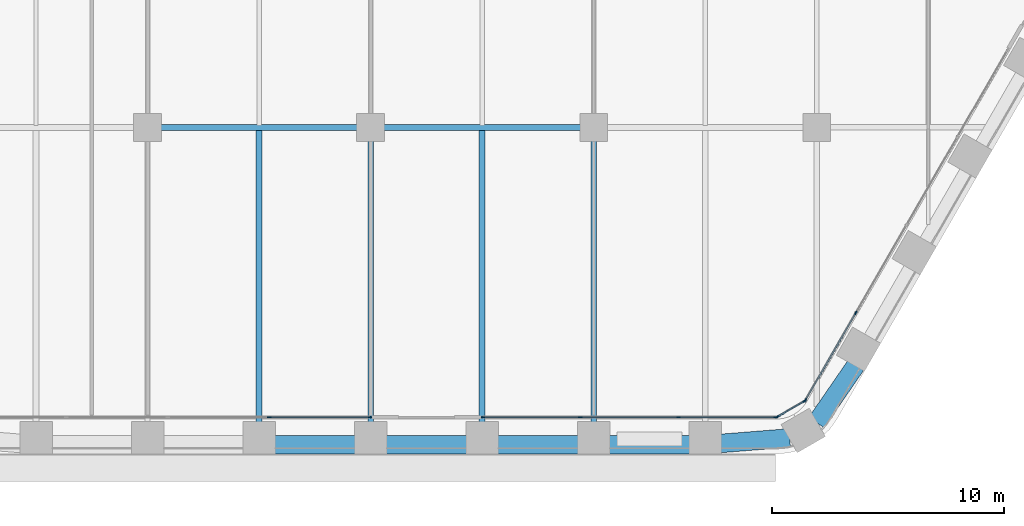
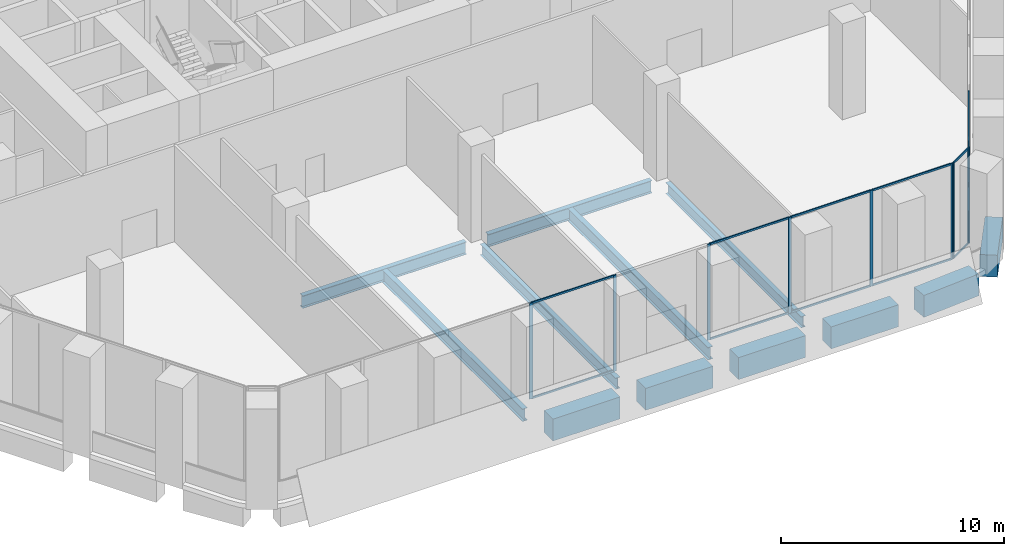
# One storey, part 4 of 27: 22 members, 12 beams, 4 elements without a shape of their own.
"""IFC4 building model written with IfcOpenShell, lengths in metres."""

from ifc_helpers import new_model, si_unit, direction, frame, origin, origin_2d, place, context, subcontext, project, spatial, rectangle, i_section, extrude, material, material_profile, profile_set, type_object, element, aggregate, save


model = new_model("IFC4")

# Units and contexts
model_context = context("Model", 3, precision=1e-05, world=origin(), true_north=direction((0.0, 1.0)))
body_context = subcontext(model_context, "Body", "Model", "MODEL_VIEW")
ifc_project = project(units=[si_unit("LENGTHUNIT", "METRE"), si_unit("AREAUNIT", "SQUARE_METRE"), si_unit("VOLUMEUNIT", "CUBIC_METRE"), si_unit("PLANEANGLEUNIT", "RADIAN"), si_unit("MASSUNIT", "GRAM", prefix="KILO")], contexts=[model_context])

# Site, building, storey
site_placement = place(None, origin())
site = spatial("IfcSite", under=ifc_project, at=site_placement, CompositionType="ELEMENT")
building_placement = place(site_placement, origin())
building = spatial("IfcBuilding", under=site, at=building_placement, Name="Kolab Exchange Tower", CompositionType="ELEMENT")
storey_placement = place(building_placement, frame((0.0, 0.0, 49.89990234375)))
storey = spatial("IfcBuildingStorey", under=building, at=storey_placement, Name="L09", CompositionType="ELEMENT", Elevation=49.89990234375)

# Beams
ifc_material_1 = material(Name="Steel S355", Category="steel")
ifc_material_profile_1 = material_profile(ifc_material_1, i_section(OverallWidth=0.22802734375, OverallDepth=0.60791015625, WebThickness=0.01123046875, FlangeThickness=0.017333984375, at=origin_2d()), Name="W610X113")
ifc_profile_set_1 = profile_set([ifc_material_profile_1], Name="Steel S355")
beam_type_1 = type_object("IfcBeamType", Name="FLOOR BEAM W610X113", PredefinedType="BEAM", material=ifc_profile_set_1)
for number, where, z_axis, x_axis, name in (
    (1, (0.0, -31.8955078125, -0.553955078125), (0.0, 1.0, 0.0), (-1.0, 0.0, 0.0), "beam/L09/fr/030"),
    (2, (9.60009765625, -31.8955078125, -0.553955078125), (0.0, 1.0, 0.0), (-1.0, 0.0, 0.0), "beam/L09/fr/038"),
):
    element("IfcBeam", number, at=place(storey_placement, frame(where, z_axis=z_axis, x_axis=x_axis)), inside=storey, type_object=beam_type_1, Name=name, PredefinedType="BEAM", context=body_context, shape_type="SweptSolid", body=[
        extrude(i_section(OverallWidth=0.22802734375, OverallDepth=0.60791015625, WebThickness=0.01123046875, FlangeThickness=0.017333984375, at=origin_2d()), origin(), (0.0, 0.0, 1.0), 12.135498046875),
    ])
ifc_material_profile_2 = material_profile(ifc_material_1, i_section(OverallWidth=0.25390625, OverallDepth=0.68408203125, WebThickness=0.012451171875, FlangeThickness=0.018798828125, at=origin_2d()), Name="W690X140")
ifc_profile_set_2 = profile_set([ifc_material_profile_2], Name="Steel S355")
beam_type_2 = type_object("IfcBeamType", Name="FLOOR BEAM W690X140", PredefinedType="BEAM", material=ifc_profile_set_2)
for number, where, z_axis, x_axis, name in (
    (3, (-4.800048828125, -31.8955078125, -0.591796875), (0.0, 1.0, 0.0), (-1.0, 0.0, 0.0), "beam/L09/fr/026"),
    (4, (4.800048828125, -31.8955078125, -0.591796875), (0.0, 1.0, 0.0), (-1.0, 0.0, 0.0), "beam/L09/fr/034"),
):
    element("IfcBeam", number, at=place(storey_placement, frame(where, z_axis=z_axis, x_axis=x_axis)), inside=storey, type_object=beam_type_2, Name=name, PredefinedType="BEAM", context=body_context, shape_type="SweptSolid", body=[
        extrude(i_section(OverallWidth=0.25390625, OverallDepth=0.68408203125, WebThickness=0.012451171875, FlangeThickness=0.018798828125, at=origin_2d()), origin(), (0.0, 0.0, 1.0), 12.6083984375),
    ])
ifc_material_profile_3 = material_profile(ifc_material_1, i_section(OverallWidth=0.25390625, OverallDepth=0.68408203125, WebThickness=0.012451171875, FlangeThickness=0.018798828125, at=origin_2d()), Name="W690X140")
ifc_profile_set_3 = profile_set([ifc_material_profile_3], Name="Steel S355")
beam_type_3 = type_object("IfcBeamType", Name="FLOOR GIRDER W690X140", PredefinedType="BEAM", material=ifc_profile_set_3)
for number, where, z_axis, x_axis, name in (
    (5, (-9.0400390625, -19.199951171875, -0.591796875), (1.0, 0.0, 0.0), (0.0, 1.0, 0.0), "beam/L09/gd/011"),
    (6, (0.56005859375, -19.199951171875, -0.591796875), (1.0, 0.0, 0.0), (0.0, 1.0, 0.0), "beam/L09/gd/013"),
):
    element("IfcBeam", number, at=place(storey_placement, frame(where, z_axis=z_axis, x_axis=x_axis)), inside=storey, type_object=beam_type_3, Name=name, PredefinedType="BEAM", context=body_context, shape_type="SweptSolid", body=[
        extrude(i_section(OverallWidth=0.25390625, OverallDepth=0.68408203125, WebThickness=0.012451171875, FlangeThickness=0.018798828125, at=origin_2d()), origin(), (0.0, 0.0, 1.0), 8.47998046875),
    ])
ifc_material_2 = material(Name="Concrete C80/95", Category="concrete")
ifc_material_profile_4 = material_profile(ifc_material_2, rectangle(XDim=0.800048828125, YDim=1.199951171875, at=origin_2d()), Name="RC800X1200")
ifc_profile_set_4 = profile_set([ifc_material_profile_4], Name="Concrete C80/95")
beam_type_4 = type_object("IfcBeamType", Name="SPANDREL BEAM 800X1200 C80/95", PredefinedType="BEAM", material=ifc_profile_set_4)
beam_1_placement = place(storey_placement, frame((20.8779296875, -29.44384765625, -0.849853515625), z_axis=(-0.567247290755, -0.823547516013, 0.0), x_axis=(0.823547516013, -0.567247290755, 0.0)))
element("IfcBeam", 7, at=beam_1_placement, inside=storey, type_object=beam_type_4, Name="beam/L09/sp/F3-08", PredefinedType="BEAM", context=body_context, shape_type="SweptSolid", body=[
    extrude(rectangle(XDim=0.800048828125, YDim=1.199951171875, at=origin_2d()), origin(), (0.0, 0.0, 1.0), 2.984375),
])
beam_2_placement = place(storey_placement, frame((18.03515625, -32.5654296875, -0.849853515625), z_axis=(-0.996833978278, -0.07951112973, 0.0), x_axis=(0.07951112973, -0.996833978278, 0.0)))
element("IfcBeam", 8, at=beam_2_placement, inside=storey, type_object=beam_type_4, Name="beam/L09/sp/F4-01", PredefinedType="BEAM", context=body_context, shape_type="SweptSolid", body=[
    extrude(rectangle(XDim=0.800048828125, YDim=1.199951171875, at=origin_2d()), origin(), (0.0, 0.0, 1.0), 2.984619140625),
])
for number, where, z_axis, x_axis, name in (
    (9, (13.739990234375, -32.85546875, -0.849853515625), (-1.0, 0.0, 0.0), (0.0, -1.0, 0.0), "beam/L09/sp/F4-02"),
    (10, (8.93994140625, -32.85546875, -0.849853515625), (-1.0, 0.0, 0.0), (0.0, -1.0, 0.0), "beam/L09/sp/F4-03"),
    (11, (4.139892578125, -32.85546875, -0.849853515625), (-1.0, 0.0, 0.0), (0.0, -1.0, 0.0), "beam/L09/sp/F4-04"),
    (12, (-0.659912109375, -32.85546875, -0.849853515625), (-1.0, 0.0, 0.0), (0.0, -1.0, 0.0), "beam/L09/sp/F4-05"),
):
    element("IfcBeam", number, at=place(storey_placement, frame(where, z_axis=z_axis, x_axis=x_axis)), inside=storey, type_object=beam_type_4, Name=name, PredefinedType="BEAM", context=body_context, shape_type="SweptSolid", body=[
        extrude(rectangle(XDim=0.800048828125, YDim=1.199951171875, at=origin_2d()), origin(), (0.0, 0.0, 1.0), 3.47998046875),
    ])

# Curtain wall, members
ifc_material_3 = material(Name="Aluminium EN AW-6063 T6", Category="aluminium")
curtain_wall_type = type_object("IfcCurtainWallType", Name="UNITISED LOW ZONE CURTAIN WALL", PredefinedType="NOTDEFINED", material=ifc_material_3)
curtain_wall_1_placement = place(storey_placement, origin())
curtain_wall_1 = element("IfcCurtainWall", 13, at=curtain_wall_1_placement, inside=storey, type_object=curtain_wall_type, Name="cw/L09/F3-2", PredefinedType="NOTDEFINED")
ifc_material_profile_5 = material_profile(ifc_material_3, rectangle(XDim=0.06005859375, YDim=0.159912109375, at=origin_2d()), Name="RECT 60X160")
ifc_profile_set_5 = profile_set([ifc_material_profile_5], Name="Aluminium EN AW-6063 T6")
member_type_1 = type_object("IfcMemberType", Name="UNITISED LOW ZONE MULLION 60 X 160", PredefinedType="MULLION", material=ifc_profile_set_5)
member_1_placement = place(storey_placement, frame((20.881103515625, -27.183349609375, 0.0), z_axis=(0.0, 0.0, 1.0), x_axis=(0.866025397318, -0.5000000112, 0.0)))
member_1 = element("IfcMember", 14, at=member_1_placement, type_object=member_type_1, Name="CW1 mullion 4", PredefinedType="MULLION", context=body_context, shape_type="SweptSolid", body=[
    extrude(rectangle(XDim=0.06005859375, YDim=0.159912109375, at=origin_2d()), origin(), (0.0, 0.0, 1.0), 5.25),
])
member_2_placement = place(storey_placement, frame((18.712646484375, -30.939453125, 0.0), z_axis=(0.0, 0.0, 1.0), x_axis=(0.866025397318, -0.5000000112, 0.0)))
member_2 = element("IfcMember", 15, at=member_2_placement, type_object=member_type_1, Name="CW1 mullion 5", PredefinedType="MULLION", context=body_context, shape_type="SweptSolid", body=[
    extrude(rectangle(XDim=0.06005859375, YDim=0.159912109375, at=origin_2d()), origin(), (0.0, 0.0, 1.0), 5.25),
])

curtain_wall_2_placement = place(storey_placement, origin())
curtain_wall_2 = element("IfcCurtainWall", 16, at=curtain_wall_2_placement, inside=storey, type_object=curtain_wall_type, Name="cw/L09/F4-1", PredefinedType="NOTDEFINED")
member_3_placement = place(storey_placement, frame((17.43798828125, -31.67529296875, 0.0), z_axis=(0.0, 0.0, 1.0), x_axis=(0.0, -1.0, 0.0)))
member_3 = element("IfcMember", 17, at=member_3_placement, type_object=member_type_1, Name="CW1 mullion 1", PredefinedType="MULLION", context=body_context, shape_type="SweptSolid", body=[
    extrude(rectangle(XDim=0.06005859375, YDim=0.159912109375, at=origin_2d()), origin(), (0.0, 0.0, 1.0), 5.25),
])
member_4_placement = place(storey_placement, frame((13.245361328125, -31.67529296875, 0.0), z_axis=(0.0, 0.0, 1.0), x_axis=(0.0, -1.0, 0.0)))
member_4 = element("IfcMember", 18, at=member_4_placement, type_object=member_type_1, Name="CW1 mullion 2", PredefinedType="MULLION", context=body_context, shape_type="SweptSolid", body=[
    extrude(rectangle(XDim=0.06005859375, YDim=0.159912109375, at=origin_2d()), origin(), (0.0, 0.0, 1.0), 5.25),
])
member_5_placement = place(storey_placement, frame((9.022705078125, -31.67529296875, 0.0), z_axis=(0.0, 0.0, 1.0), x_axis=(0.0, -1.0, 0.0)))
member_5 = element("IfcMember", 19, at=member_5_placement, type_object=member_type_1, Name="CW1 mullion 3", PredefinedType="MULLION", context=body_context, shape_type="SweptSolid", body=[
    extrude(rectangle(XDim=0.06005859375, YDim=0.159912109375, at=origin_2d()), origin(), (0.0, 0.0, 1.0), 5.25),
])
member_6_placement = place(storey_placement, frame((4.830078125, -31.67529296875, 0.0), z_axis=(0.0, 0.0, 1.0), x_axis=(0.0, -1.0, 0.0)))
member_6 = element("IfcMember", 20, at=member_6_placement, type_object=member_type_1, Name="CW1 mullion 4", PredefinedType="MULLION", context=body_context, shape_type="SweptSolid", body=[
    extrude(rectangle(XDim=0.06005859375, YDim=0.159912109375, at=origin_2d()), origin(), (0.0, 0.0, 1.0), 5.25),
])

curtain_wall_3_placement = place(storey_placement, origin())
curtain_wall_3 = element("IfcCurtainWall", 21, at=curtain_wall_3_placement, inside=storey, type_object=curtain_wall_type, Name="cw/L09/F4-2", PredefinedType="NOTDEFINED")
member_7_placement = place(storey_placement, frame((-0.030029296875, -31.67529296875, 0.0), z_axis=(0.0, 0.0, 1.0), x_axis=(0.0, -1.0, 0.0)))
member_7 = element("IfcMember", 22, at=member_7_placement, type_object=member_type_1, Name="CW1 mullion 1", PredefinedType="MULLION", context=body_context, shape_type="SweptSolid", body=[
    extrude(rectangle(XDim=0.06005859375, YDim=0.159912109375, at=origin_2d()), origin(), (0.0, 0.0, 1.0), 5.25),
])
member_8_placement = place(storey_placement, frame((-4.366943359375, -31.67529296875, 0.0), z_axis=(0.0, 0.0, 1.0), x_axis=(0.0, -1.0, 0.0)))
member_8 = element("IfcMember", 23, at=member_8_placement, type_object=member_type_1, Name="CW1 mullion 2", PredefinedType="MULLION", context=body_context, shape_type="SweptSolid", body=[
    extrude(rectangle(XDim=0.06005859375, YDim=0.159912109375, at=origin_2d()), origin(), (0.0, 0.0, 1.0), 5.25),
])

curtain_wall_4_placement = place(storey_placement, origin())
curtain_wall_4 = element("IfcCurtainWall", 24, at=curtain_wall_4_placement, inside=storey, type_object=curtain_wall_type, Name="cw/L09/F3F4-corner", PredefinedType="NOTDEFINED")
member_9_placement = place(storey_placement, frame((18.671630859375, -30.98046875, 0.0), z_axis=(0.0, 0.0, 1.0), x_axis=(0.50000002237, -0.866025390869, 0.0)))
member_9 = element("IfcMember", 25, at=member_9_placement, type_object=member_type_1, Name="CW1 mullion 1", PredefinedType="MULLION", context=body_context, shape_type="SweptSolid", body=[
    extrude(rectangle(XDim=0.06005859375, YDim=0.159912109375, at=origin_2d()), origin(), (0.0, 0.0, 1.0), 5.25),
])
member_10_placement = place(storey_placement, frame((17.493896484375, -31.660400390625, 0.0), z_axis=(0.0, 0.0, 1.0), x_axis=(0.50000002237, -0.866025390869, 0.0)))
member_10 = element("IfcMember", 26, at=member_10_placement, type_object=member_type_1, Name="CW1 mullion 2", PredefinedType="MULLION", context=body_context, shape_type="SweptSolid", body=[
    extrude(rectangle(XDim=0.06005859375, YDim=0.159912109375, at=origin_2d()), origin(), (0.0, 0.0, 1.0), 5.25),
])

# Member
ifc_material_profile_6 = material_profile(ifc_material_3, rectangle(XDim=0.06005859375, YDim=0.10009765625, at=origin_2d()), Name="RECT 60X100")
ifc_profile_set_6 = profile_set([ifc_material_profile_6], Name="Aluminium EN AW-6063 T6")
member_type_2 = type_object("IfcMemberType", Name="UNITISED LOW ZONE TRANSOM 60 X 100", PredefinedType="USERDEFINED", material=ifc_profile_set_6)
member_11_placement = place(storey_placement, frame((20.8662109375, -27.20947265625, 0.030029296875), z_axis=(-0.500000816281, -0.866024932504, 0.0), x_axis=(0.866024932504, -0.500000816281, 0.0)))
member_11 = element("IfcMember", 27, at=member_11_placement, type_object=member_type_2, Name="CW1 transom 4.1", ObjectType="TRANSOM", PredefinedType="USERDEFINED", context=body_context, shape_type="SweptSolid", body=[
    extrude(rectangle(XDim=0.06005859375, YDim=0.10009765625, at=origin_2d()), origin(), (0.0, 0.0, 1.0), 4.27685546875),
])

member_12_placement = place(storey_placement, frame((20.8662109375, -27.20947265625, 5.22021484375), z_axis=(-0.500000816281, -0.866024932504, 0.0), x_axis=(0.866024932504, -0.500000816281, 0.0)))
member_12 = element("IfcMember", 28, at=member_12_placement, type_object=member_type_2, Name="CW1 transom 4.2", ObjectType="TRANSOM", PredefinedType="USERDEFINED", context=body_context, shape_type="SweptSolid", body=[
    extrude(rectangle(XDim=0.06005859375, YDim=0.10009765625, at=origin_2d()), origin(), (0.0, 0.0, 1.0), 4.27685546875),
])

aggregate(curtain_wall_1, [member_1, member_2, member_11, member_12])

member_13_placement = place(storey_placement, frame((17.407958984375, -31.67529296875, 0.030029296875), z_axis=(-1.0, 0.0, 0.0), x_axis=(0.0, -1.0, 0.0)))
member_13 = element("IfcMember", 29, at=member_13_placement, type_object=member_type_2, Name="CW1 transom 1.1", ObjectType="TRANSOM", PredefinedType="USERDEFINED", context=body_context, shape_type="SweptSolid", body=[
    extrude(rectangle(XDim=0.06005859375, YDim=0.10009765625, at=origin_2d()), origin(), (0.0, 0.0, 1.0), 4.132568359375),
])

member_14_placement = place(storey_placement, frame((17.407958984375, -31.67529296875, 5.22021484375), z_axis=(-1.0, 0.0, 0.0), x_axis=(0.0, -1.0, 0.0)))
member_14 = element("IfcMember", 30, at=member_14_placement, type_object=member_type_2, Name="CW1 transom 1.2", ObjectType="TRANSOM", PredefinedType="USERDEFINED", context=body_context, shape_type="SweptSolid", body=[
    extrude(rectangle(XDim=0.06005859375, YDim=0.10009765625, at=origin_2d()), origin(), (0.0, 0.0, 1.0), 4.132568359375),
])

member_15_placement = place(storey_placement, frame((13.21533203125, -31.67529296875, 0.030029296875), z_axis=(-1.0, 0.0, 0.0), x_axis=(0.0, -1.0, 0.0)))
member_15 = element("IfcMember", 31, at=member_15_placement, type_object=member_type_2, Name="CW1 transom 2.1", ObjectType="TRANSOM", PredefinedType="USERDEFINED", context=body_context, shape_type="SweptSolid", body=[
    extrude(rectangle(XDim=0.06005859375, YDim=0.10009765625, at=origin_2d()), origin(), (0.0, 0.0, 1.0), 4.16259765625),
])

member_16_placement = place(storey_placement, frame((13.21533203125, -31.67529296875, 5.22021484375), z_axis=(-1.0, 0.0, 0.0), x_axis=(0.0, -1.0, 0.0)))
member_16 = element("IfcMember", 32, at=member_16_placement, type_object=member_type_2, Name="CW1 transom 2.2", ObjectType="TRANSOM", PredefinedType="USERDEFINED", context=body_context, shape_type="SweptSolid", body=[
    extrude(rectangle(XDim=0.06005859375, YDim=0.10009765625, at=origin_2d()), origin(), (0.0, 0.0, 1.0), 4.16259765625),
])

member_17_placement = place(storey_placement, frame((8.99267578125, -31.67529296875, 0.030029296875), z_axis=(-1.0, 0.0, 0.0), x_axis=(0.0, -1.0, 0.0)))
member_17 = element("IfcMember", 33, at=member_17_placement, type_object=member_type_2, Name="CW1 transom 3.1", ObjectType="TRANSOM", PredefinedType="USERDEFINED", context=body_context, shape_type="SweptSolid", body=[
    extrude(rectangle(XDim=0.06005859375, YDim=0.10009765625, at=origin_2d()), origin(), (0.0, 0.0, 1.0), 4.132568359375),
])

member_18_placement = place(storey_placement, frame((8.99267578125, -31.67529296875, 5.22021484375), z_axis=(-1.0, 0.0, 0.0), x_axis=(0.0, -1.0, 0.0)))
member_18 = element("IfcMember", 34, at=member_18_placement, type_object=member_type_2, Name="CW1 transom 3.2", ObjectType="TRANSOM", PredefinedType="USERDEFINED", context=body_context, shape_type="SweptSolid", body=[
    extrude(rectangle(XDim=0.06005859375, YDim=0.10009765625, at=origin_2d()), origin(), (0.0, 0.0, 1.0), 4.132568359375),
])

aggregate(curtain_wall_2, [member_3, member_4, member_5, member_6, member_13, member_14, member_15, member_16, member_17, member_18])

member_19_placement = place(storey_placement, frame((-0.06005859375, -31.67529296875, 0.030029296875), z_axis=(-1.0, 0.0, 0.0), x_axis=(0.0, -1.0, 0.0)))
member_19 = element("IfcMember", 35, at=member_19_placement, type_object=member_type_2, Name="CW1 transom 1.1", ObjectType="TRANSOM", PredefinedType="USERDEFINED", context=body_context, shape_type="SweptSolid", body=[
    extrude(rectangle(XDim=0.06005859375, YDim=0.10009765625, at=origin_2d()), origin(), (0.0, 0.0, 1.0), 4.27685546875),
])

member_20_placement = place(storey_placement, frame((-0.06005859375, -31.67529296875, 5.22021484375), z_axis=(-1.0, 0.0, 0.0), x_axis=(0.0, -1.0, 0.0)))
member_20 = element("IfcMember", 36, at=member_20_placement, type_object=member_type_2, Name="CW1 transom 1.2", ObjectType="TRANSOM", PredefinedType="USERDEFINED", context=body_context, shape_type="SweptSolid", body=[
    extrude(rectangle(XDim=0.06005859375, YDim=0.10009765625, at=origin_2d()), origin(), (0.0, 0.0, 1.0), 4.27685546875),
])

aggregate(curtain_wall_3, [member_7, member_8, member_19, member_20])

member_21_placement = place(storey_placement, frame((18.645751953125, -30.995361328125, 0.030029296875), z_axis=(-0.86603858612, -0.49997716683, 0.0), x_axis=(0.49997716683, -0.86603858612, 0.0)))
member_21 = element("IfcMember", 37, at=member_21_placement, type_object=member_type_2, Name="CW1 transom 1.1", ObjectType="TRANSOM", PredefinedType="USERDEFINED", context=body_context, shape_type="SweptSolid", body=[
    extrude(rectangle(XDim=0.06005859375, YDim=0.10009765625, at=origin_2d()), origin(), (0.0, 0.0, 1.0), 1.2998046875),
])

member_22_placement = place(storey_placement, frame((18.645751953125, -30.995361328125, 5.22021484375), z_axis=(-0.86603858612, -0.49997716683, 0.0), x_axis=(0.49997716683, -0.86603858612, 0.0)))
member_22 = element("IfcMember", 38, at=member_22_placement, type_object=member_type_2, Name="CW1 transom 1.2", ObjectType="TRANSOM", PredefinedType="USERDEFINED", context=body_context, shape_type="SweptSolid", body=[
    extrude(rectangle(XDim=0.06005859375, YDim=0.10009765625, at=origin_2d()), origin(), (0.0, 0.0, 1.0), 1.2998046875),
])

aggregate(curtain_wall_4, [member_9, member_10, member_21, member_22])

save(model, "model.ifc")
